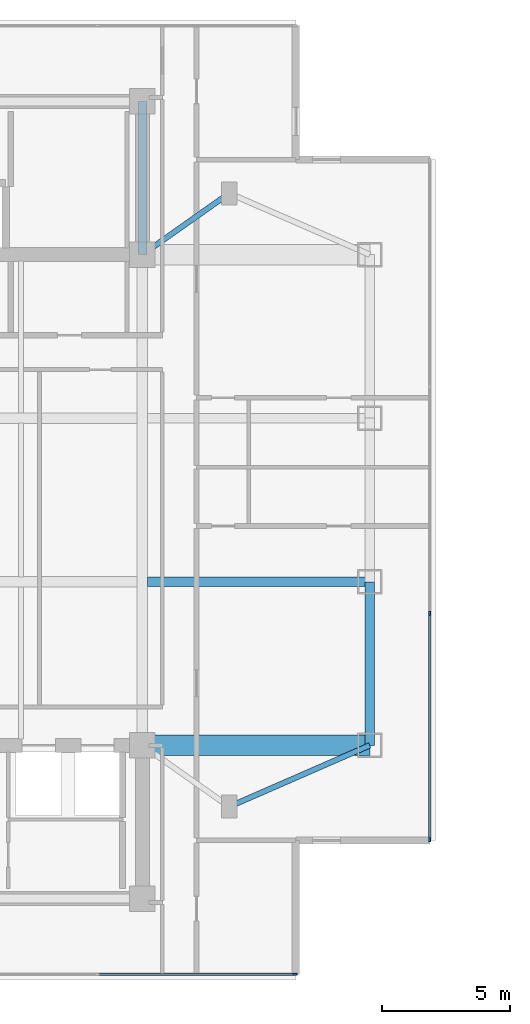
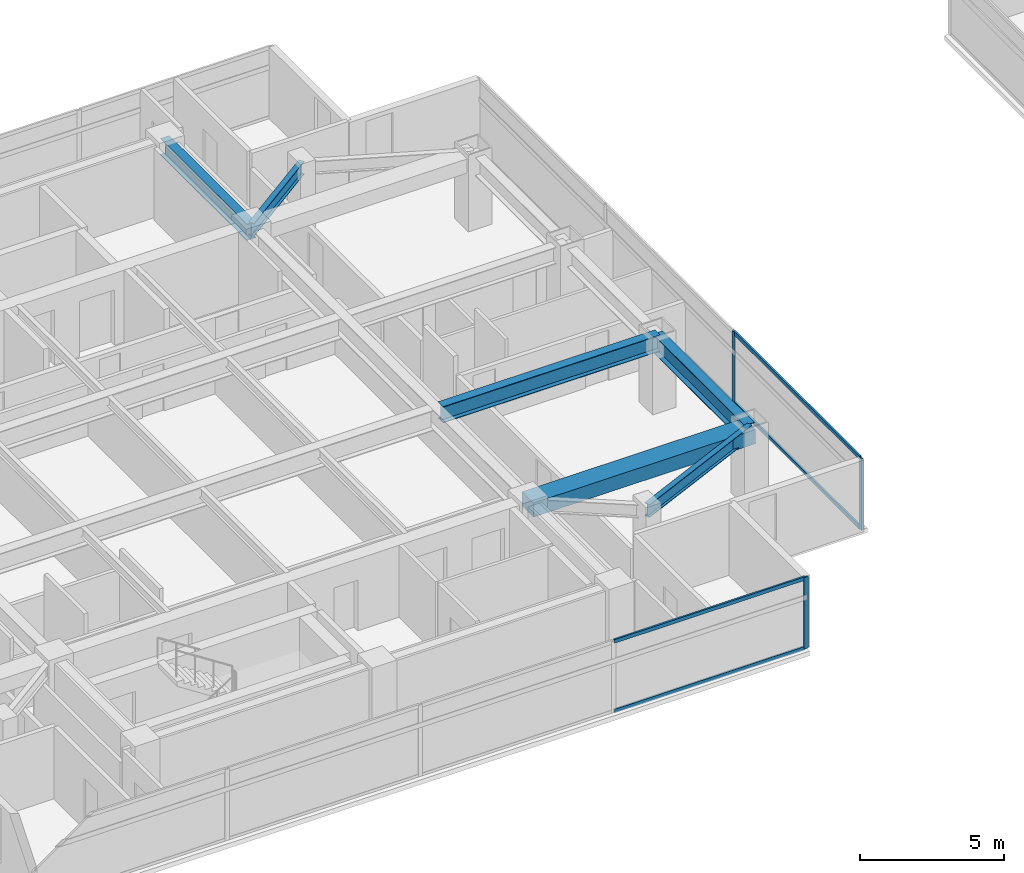
# One storey, part 4 of 24: 7 members, 6 beams, 2 elements without a shape of their own.
"""IFC4 building model written with IfcOpenShell, lengths in metres."""

from ifc_helpers import new_model, si_unit, direction, frame, origin, origin_2d, place, context, subcontext, project, spatial, rectangle, i_section, extrude, material, material_profile, profile_set, type_object, element, aggregate, save


model = new_model("IFC4")

# Units and contexts
model_context = context("Model", 3, precision=1e-05, world=origin(), true_north=direction((0.0, 1.0)))
body_context = subcontext(model_context, "Body", "Model", "MODEL_VIEW")
ifc_project = project(units=[si_unit("LENGTHUNIT", "METRE"), si_unit("AREAUNIT", "SQUARE_METRE"), si_unit("VOLUMEUNIT", "CUBIC_METRE"), si_unit("PLANEANGLEUNIT", "RADIAN"), si_unit("MASSUNIT", "GRAM", prefix="KILO")], contexts=[model_context])

# Site, building, storey
site_placement = place(None, origin())
site = spatial("IfcSite", under=ifc_project, at=site_placement, CompositionType="ELEMENT")
building_placement = place(site_placement, origin())
building = spatial("IfcBuilding", under=site, at=building_placement, Name="Mirazonda Arch Towers", CompositionType="ELEMENT")
storey_placement = place(building_placement, frame((0.0, 0.0, 167.39990234375)))
storey = spatial("IfcBuildingStorey", under=building, at=storey_placement, Name="L47", CompositionType="ELEMENT", Elevation=167.39990234375)

# Beams
ifc_material_1 = material(Name="Steel ASTM A992 Grade 50", Category="steel")
ifc_material_profile_1 = material_profile(ifc_material_1, i_section(OverallWidth=0.381103515625, OverallDepth=0.77294921875, WebThickness=0.0166015625, FlangeThickness=0.027099609375, at=origin_2d()), Name="W30X173")
ifc_profile_set_1 = profile_set([ifc_material_profile_1], Name="Steel ASTM A992 Grade 50")
beam_type_1 = type_object("IfcBeamType", Name="BM-EXT-W30X173", PredefinedType="USERDEFINED", material=ifc_profile_set_1)
beam_1_placement = place(storey_placement, frame((38.89990234375, 18.39990234375, 2.66357421875), z_axis=(0.0, 1.0, 0.0), x_axis=(-1.0, 0.0, 0.0)))
element("IfcBeam", 1, at=beam_1_placement, inside=storey, type_object=beam_type_1, Name="L47 Floor Beam BM-T1-L47-NS-E-18", ObjectType="GIRDER", PredefinedType="USERDEFINED", context=body_context, shape_type="SweptSolid", body=[
    extrude(i_section(OverallWidth=0.381103515625, OverallDepth=0.77294921875, WebThickness=0.0166015625, FlangeThickness=0.027099609375, at=origin_2d()), origin(), (0.0, 0.0, 1.0), 6.400146484375),
])
ifc_material_profile_2 = material_profile(ifc_material_1, i_section(OverallWidth=0.214111328125, OverallDepth=0.549072265625, WebThickness=0.0146484375, FlangeThickness=0.023681640625, at=origin_2d()), Name="W21X93")
ifc_profile_set_2 = profile_set([ifc_material_profile_2], Name="Steel ASTM A992 Grade 50")
beam_type_2 = type_object("IfcBeamType", Name="BM-INT-W21X93", PredefinedType="BEAM", material=ifc_profile_set_2)
beam_2_placement = place(storey_placement, frame((33.39990234375, 16.0, 2.775634765625), z_axis=(0.916545343703, 0.399930785183, 0.0), x_axis=(-0.399930785183, 0.916545343703, 0.0)))
element("IfcBeam", 2, at=beam_2_placement, inside=storey, type_object=beam_type_2, Name="L47 Floor Beam BM-T1-L47-PL-SE2", PredefinedType="BEAM", context=body_context, shape_type="SweptSolid", body=[
    extrude(i_section(OverallWidth=0.214111328125, OverallDepth=0.549072265625, WebThickness=0.0146484375, FlangeThickness=0.023681640625, at=origin_2d()), origin(), (0.0, 0.0, 1.0), 6.000732421875),
])
beam_3_placement = place(storey_placement, frame((33.39990234375, 40.0, 2.775634765625), z_axis=(-0.816971114901, -0.576678591087, 0.0), x_axis=(0.576678591087, -0.816971114901, 0.0)))
element("IfcBeam", 3, at=beam_3_placement, inside=storey, type_object=beam_type_2, Name="L47 Floor Beam BM-T1-L47-PL-NE1", PredefinedType="BEAM", context=body_context, shape_type="SweptSolid", body=[
    extrude(i_section(OverallWidth=0.214111328125, OverallDepth=0.549072265625, WebThickness=0.0146484375, FlangeThickness=0.023681640625, at=origin_2d()), origin(), (0.0, 0.0, 1.0), 4.16162109375),
])
ifc_material_profile_3 = material_profile(ifc_material_1, i_section(OverallWidth=0.35498046875, OverallDepth=0.696044921875, WebThickness=0.015380859375, FlangeThickness=0.02490234375, at=origin_2d()), Name="W27X146")
ifc_profile_set_3 = profile_set([ifc_material_profile_3], Name="Steel ASTM A992 Grade 50")
beam_type_3 = type_object("IfcBeamType", Name="BM-INT-W27X146", PredefinedType="BEAM", material=ifc_profile_set_3)
beam_4_placement = place(storey_placement, frame((30.199951171875, 24.800048828125, 2.7021484375), z_axis=(1.0, 0.0, 0.0), x_axis=(0.0, 1.0, 0.0)))
element("IfcBeam", 4, at=beam_4_placement, inside=storey, type_object=beam_type_3, Name="L47 Floor Beam BM-T1-L47-GE2", PredefinedType="BEAM", context=body_context, shape_type="SweptSolid", body=[
    extrude(i_section(OverallWidth=0.35498046875, OverallDepth=0.696044921875, WebThickness=0.015380859375, FlangeThickness=0.02490234375, at=origin_2d()), origin(), (0.0, 0.0, 1.0), 8.699951171875),
])
beam_5_placement = place(storey_placement, frame((30.0, 37.60009765625, 2.7021484375), z_axis=(0.0, 1.0, 0.0), x_axis=(-1.0, 0.0, 0.0)))
element("IfcBeam", 5, at=beam_5_placement, inside=storey, type_object=beam_type_3, Name="L47 Floor Beam BM-T1-L47-CNE", PredefinedType="BEAM", context=body_context, shape_type="SweptSolid", body=[
    extrude(i_section(OverallWidth=0.35498046875, OverallDepth=0.696044921875, WebThickness=0.015380859375, FlangeThickness=0.02490234375, at=origin_2d()), origin(), (0.0, 0.0, 1.0), 6.0),
])
ifc_material_2 = material(Name="Concrete C60/75", Category="concrete")
ifc_material_profile_4 = material_profile(ifc_material_2, rectangle(XDim=0.800048828125, YDim=0.60009765625, at=origin_2d()), Name="RCCB800x600")
ifc_profile_set_4 = profile_set([ifc_material_profile_4], Name="Concrete C60/75")
beam_type_4 = type_object("IfcBeamType", Name="CB-INT-RCCB800x600", PredefinedType="SPANDREL", material=ifc_profile_set_4)
beam_6_placement = place(storey_placement, frame((30.0, 18.39990234375, 2.75), z_axis=(1.0, 0.0, 0.0), x_axis=(0.0, 1.0, 0.0)))
element("IfcBeam", 6, at=beam_6_placement, inside=storey, type_object=beam_type_4, Name="L47 Floor Beam CBC-T1-L47-SE", PredefinedType="SPANDREL", context=body_context, shape_type="SweptSolid", body=[
    extrude(rectangle(XDim=0.800048828125, YDim=0.60009765625, at=origin_2d()), origin(), (0.0, 0.0, 1.0), 8.89990234375),
])

# Curtain wall, member
ifc_material_3 = material(Name="Anodised Aluminium and Low-E Glass", Category="aluminium")
curtain_wall_type = type_object("IfcCurtainWallType", Name="CW-RES-UNIT", PredefinedType="NOTDEFINED", material=ifc_material_3)
curtain_wall_1_placement = place(storey_placement, origin())
curtain_wall_1 = element("IfcCurtainWall", 7, at=curtain_wall_1_placement, inside=storey, type_object=curtain_wall_type, Name="L47 T1 S Facade CW-L47-T1-S", PredefinedType="NOTDEFINED")
ifc_material_4 = material(Name="Anodised Aluminium Alloy", Category="aluminium")
ifc_material_profile_5 = material_profile(ifc_material_4, rectangle(XDim=0.074951171875, YDim=0.175048828125, at=origin_2d()), Name="ALU-MULL-75x175")
ifc_profile_set_5 = profile_set([ifc_material_profile_5], Name="Anodised Aluminium Alloy")
member_type_1 = type_object("IfcMemberType", Name="MULL-CW-RES-UNIT", PredefinedType="MULLION", material=ifc_profile_set_5)
member_1_placement = place(storey_placement, frame((35.967529296875, 9.43798828125, 0.0), z_axis=(0.0, 0.0, 1.0), x_axis=(0.0, -1.0, 0.0)))
member_1 = element("IfcMember", 8, at=member_1_placement, type_object=member_type_1, Name="CW-104 mullion 1", PredefinedType="MULLION", context=body_context, shape_type="SweptSolid", body=[
    extrude(rectangle(XDim=0.074951171875, YDim=0.175048828125, at=origin_2d()), origin(), (0.0, 0.0, 1.0), 3.030029296875),
])

# Curtain wall, members
curtain_wall_2_placement = place(storey_placement, origin())
curtain_wall_2 = element("IfcCurtainWall", 9, at=curtain_wall_2_placement, inside=storey, type_object=curtain_wall_type, Name="L47 T1 E Facade CW-L47-T1-E", PredefinedType="NOTDEFINED")
member_2_placement = place(storey_placement, frame((41.25, 14.720458984375, 0.0), z_axis=(0.0, 0.0, 1.0), x_axis=(-1.0, 0.0, 0.0)))
member_2 = element("IfcMember", 10, at=member_2_placement, type_object=member_type_1, Name="CW-104 mullion 1", PredefinedType="MULLION", context=body_context, shape_type="SweptSolid", body=[
    extrude(rectangle(XDim=0.074951171875, YDim=0.175048828125, at=origin_2d()), origin(), (0.0, 0.0, 1.0), 3.030029296875),
])
member_3_placement = place(storey_placement, frame((41.25, 23.56103515625, 0.0), z_axis=(0.0, 0.0, 1.0), x_axis=(-1.0, 0.0, 0.0)))
member_3 = element("IfcMember", 11, at=member_3_placement, type_object=member_type_1, Name="CW-104 mullion 2", PredefinedType="MULLION", context=body_context, shape_type="SweptSolid", body=[
    extrude(rectangle(XDim=0.074951171875, YDim=0.175048828125, at=origin_2d()), origin(), (0.0, 0.0, 1.0), 3.030029296875),
])

# Member
ifc_material_profile_6 = material_profile(ifc_material_4, rectangle(XDim=0.074951171875, YDim=0.155029296875, at=origin_2d()), Name="ALU-TRAN-75x155")
ifc_profile_set_6 = profile_set([ifc_material_profile_6], Name="Anodised Aluminium Alloy")
member_type_2 = type_object("IfcMemberType", Name="TRAN-CW-RES-UNIT", PredefinedType="USERDEFINED", material=ifc_profile_set_6)
member_4_placement = place(storey_placement, frame((35.929931640625, 9.43798828125, 0.03759765625), z_axis=(-1.0, 0.0, 0.0), x_axis=(0.0, -1.0, 0.0)))
member_4 = element("IfcMember", 12, at=member_4_placement, type_object=member_type_2, Name="CW-104 transom 1.1", ObjectType="TRANSOM", PredefinedType="USERDEFINED", context=body_context, shape_type="SweptSolid", body=[
    extrude(rectangle(XDim=0.074951171875, YDim=0.155029296875, at=origin_2d()), origin(), (0.0, 0.0, 1.0), 7.639892578125),
])

member_5_placement = place(storey_placement, frame((35.929931640625, 9.43798828125, 2.99267578125), z_axis=(-1.0, 0.0, 0.0), x_axis=(0.0, -1.0, 0.0)))
member_5 = element("IfcMember", 13, at=member_5_placement, type_object=member_type_2, Name="CW-104 transom 1.2", ObjectType="TRANSOM", PredefinedType="USERDEFINED", context=body_context, shape_type="SweptSolid", body=[
    extrude(rectangle(XDim=0.074951171875, YDim=0.155029296875, at=origin_2d()), origin(), (0.0, 0.0, 1.0), 7.639892578125),
])

aggregate(curtain_wall_1, [member_1, member_4, member_5])

member_6_placement = place(storey_placement, frame((41.25, 14.758056640625, 0.03759765625), z_axis=(0.0, 1.0, 0.0), x_axis=(-1.0, 0.0, 0.0)))
member_6 = element("IfcMember", 14, at=member_6_placement, type_object=member_type_2, Name="CW-104 transom 1.1", ObjectType="TRANSOM", PredefinedType="USERDEFINED", context=body_context, shape_type="SweptSolid", body=[
    extrude(rectangle(XDim=0.074951171875, YDim=0.155029296875, at=origin_2d()), origin(), (0.0, 0.0, 1.0), 8.765380859375),
])

member_7_placement = place(storey_placement, frame((41.25, 14.758056640625, 2.99267578125), z_axis=(0.0, 1.0, 0.0), x_axis=(-1.0, 0.0, 0.0)))
member_7 = element("IfcMember", 15, at=member_7_placement, type_object=member_type_2, Name="CW-104 transom 1.2", ObjectType="TRANSOM", PredefinedType="USERDEFINED", context=body_context, shape_type="SweptSolid", body=[
    extrude(rectangle(XDim=0.074951171875, YDim=0.155029296875, at=origin_2d()), origin(), (0.0, 0.0, 1.0), 8.765380859375),
])

aggregate(curtain_wall_2, [member_2, member_3, member_6, member_7])

save(model, "model.ifc")
